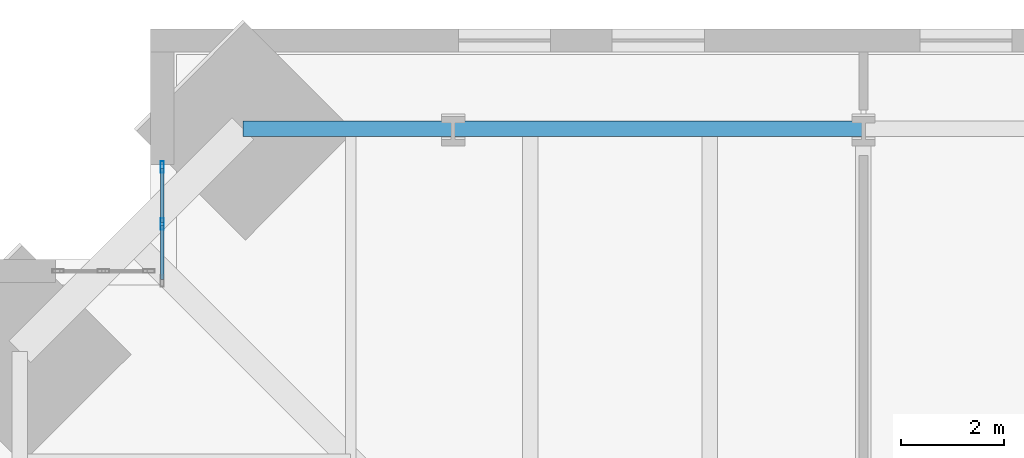
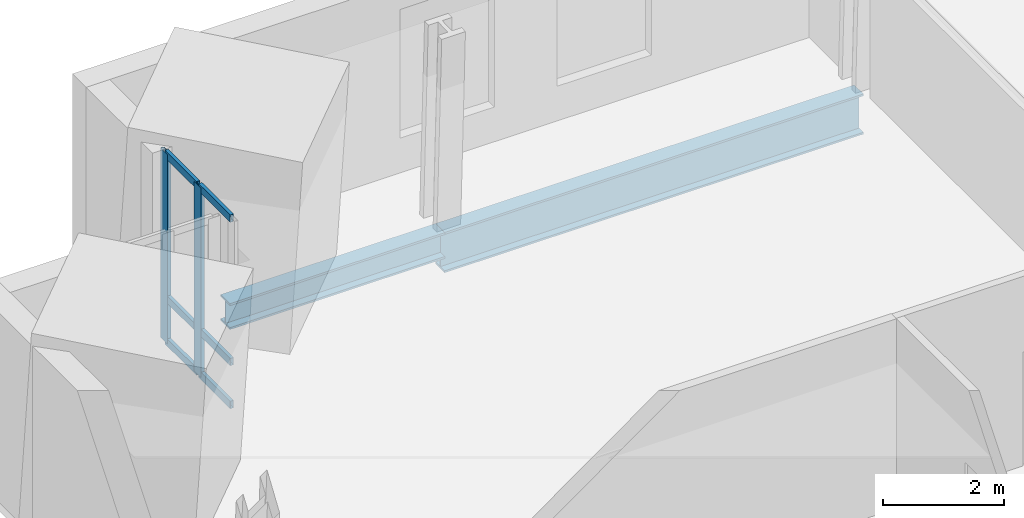
# One storey, part 8 of 18: 8 members, 2 beams, 1 element without a shape of its own.
"""IFC4 building model written with IfcOpenShell, lengths in metres."""

from ifc_helpers import new_model, si_unit, direction, frame, origin, origin_2d, place, context, subcontext, project, spatial, hollow_rectangle, i_section, extrude, material, material_profile, profile_set, type_object, element, aggregate, save


model = new_model("IFC4")

# Units and contexts
model_context = context("Model", 3, precision=1e-05, world=origin(), true_north=direction((0.0, 1.0)))
body_context = subcontext(model_context, "Body", "Model", "MODEL_VIEW")
ifc_project = project(units=[si_unit("LENGTHUNIT", "METRE"), si_unit("AREAUNIT", "SQUARE_METRE"), si_unit("VOLUMEUNIT", "CUBIC_METRE"), si_unit("PLANEANGLEUNIT", "RADIAN"), si_unit("MASSUNIT", "GRAM", prefix="KILO")], contexts=[model_context])

# Site, building, storey
site_placement = place(None, origin())
site = spatial("IfcSite", under=ifc_project, at=site_placement, CompositionType="ELEMENT")
building_placement = place(site_placement, origin())
building = spatial("IfcBuilding", under=site, at=building_placement, Name="Peilmerk Tower", CompositionType="ELEMENT")
storey_placement = place(building_placement, frame((0.0, 0.0, 159.800048828125)))
storey = spatial("IfcBuildingStorey", under=building, at=storey_placement, Name="L33", CompositionType="ELEMENT", Elevation=159.800048828125)

# Beams
ifc_material_1 = material(Name="Steel S355", Category="steel")
ifc_material_profile_1 = material_profile(ifc_material_1, i_section(OverallWidth=0.302978515625, OverallDepth=0.81396484375, WebThickness=0.02099609375, FlangeThickness=0.0400390625, at=origin_2d()), Name="HEM 800")
ifc_profile_set_1 = profile_set([ifc_material_profile_1], Name="Steel S355")
beam_type_1 = type_object("IfcBeamType", Name="B15 HEM 800 edge beam", PredefinedType="SPANDREL", material=ifc_profile_set_1)
beam_1_placement = place(storey_placement, frame((-8.0, 24.453125, -0.5771484375), z_axis=(-1.0, 0.0, 0.0), x_axis=(0.0, -1.0, 0.0)))
element("IfcBeam", 1, at=beam_1_placement, inside=storey, type_object=beam_type_1, Name="Edge beam L33", PredefinedType="SPANDREL", context=body_context, shape_type="SweptSolid", body=[
    extrude(i_section(OverallWidth=0.302978515625, OverallDepth=0.81396484375, WebThickness=0.02099609375, FlangeThickness=0.0400390625, at=origin_2d()), origin(), (0.0, 0.0, 1.0), 8.0),
])
ifc_material_profile_2 = material_profile(ifc_material_1, i_section(OverallWidth=0.305908203125, OverallDepth=0.52392578125, WebThickness=0.02099609375, FlangeThickness=0.0400390625, at=origin_2d()), Name="HEM 500")
ifc_profile_set_2 = profile_set([ifc_material_profile_2], Name="Steel S355")
beam_type_2 = type_object("IfcBeamType", Name="B33 HEM 500 edge beam", PredefinedType="SPANDREL", material=ifc_profile_set_2)
beam_2_placement = place(storey_placement, frame((-16.0, 24.453125, -0.43212890625), z_axis=(-1.0, 0.0, 0.0), x_axis=(0.0, -1.0, 0.0)))
element("IfcBeam", 2, at=beam_2_placement, inside=storey, type_object=beam_type_2, Name="Edge beam L33", PredefinedType="SPANDREL", context=body_context, shape_type="SweptSolid", body=[
    extrude(i_section(OverallWidth=0.305908203125, OverallDepth=0.52392578125, WebThickness=0.02099609375, FlangeThickness=0.0400390625, at=origin_2d()), origin(), (0.0, 0.0, 1.0), 4.103271484375),
])

# Curtain wall, members
ifc_material_2 = material(Name="Aluminium stick curtain wall", Category="aluminium")
curtain_wall_type = type_object("IfcCurtainWallType", Name="CW3 stick curtain wall, 2250 module", PredefinedType="NOTDEFINED", material=ifc_material_2)
curtain_wall_placement = place(storey_placement, origin())
curtain_wall = element("IfcCurtainWall", 3, at=curtain_wall_placement, inside=storey, type_object=curtain_wall_type, Name="Curtain wall CW3 NWA L33", PredefinedType="NOTDEFINED")
ifc_material_3 = material(Name="Aluminium EN AW-6063 T6", Category="aluminium")
ifc_material_profile_3 = material_profile(ifc_material_3, hollow_rectangle(XDim=0.06494140625, YDim=0.22509765625, WallThickness=0.00390625, at=origin_2d()), Name="AL 225x65x4")
ifc_profile_set_3 = profile_set([ifc_material_profile_3], Name="Aluminium EN AW-6063 T6")
member_type_1 = type_object("IfcMemberType", Name="CW3-M AL 225x65x4 mullion", PredefinedType="MULLION", material=ifc_profile_set_3)
member_1_placement = place(storey_placement, frame((-21.675048828125, 22.59423828125, 0.0), z_axis=(0.0, 0.0, 1.0), x_axis=(-1.0, 0.0, 0.0)))
member_1 = element("IfcMember", 4, at=member_1_placement, type_object=member_type_1, Name="CW3 mullion 2", PredefinedType="MULLION", context=body_context, shape_type="SweptSolid", body=[
    extrude(hollow_rectangle(XDim=0.06494140625, YDim=0.22509765625, WallThickness=0.00390625, at=origin_2d()), origin(), (0.0, 0.0, 1.0), 3.829833984375),
])
member_2_placement = place(storey_placement, frame((-21.675048828125, 23.706298828125, 0.0), z_axis=(0.0, 0.0, 1.0), x_axis=(-1.0, 0.0, 0.0)))
member_2 = element("IfcMember", 5, at=member_2_placement, type_object=member_type_1, Name="CW3 mullion 3", PredefinedType="MULLION", context=body_context, shape_type="SweptSolid", body=[
    extrude(hollow_rectangle(XDim=0.06494140625, YDim=0.22509765625, WallThickness=0.00390625, at=origin_2d()), origin(), (0.0, 0.0, 1.0), 3.829833984375),
])
ifc_material_profile_4 = material_profile(ifc_material_3, hollow_rectangle(XDim=0.06494140625, YDim=0.14990234375, WallThickness=0.0029296875, at=origin_2d()), Name="AL 150x65x3")
ifc_profile_set_4 = profile_set([ifc_material_profile_4], Name="Aluminium EN AW-6063 T6")
member_type_2 = type_object("IfcMemberType", Name="CW3-T AL 150x65x3 transom", PredefinedType="USERDEFINED", material=ifc_profile_set_4)
member_3_placement = place(storey_placement, frame((-21.675048828125, 21.514892578125, 0.032470703125), z_axis=(0.0, 1.0, 0.0), x_axis=(-1.0, 0.0, 0.0)))
member_3 = element("IfcMember", 6, at=member_3_placement, type_object=member_type_2, Name="CW3 transom 1.1", ObjectType="TRANSOM", PredefinedType="USERDEFINED", context=body_context, shape_type="SweptSolid", body=[
    extrude(hollow_rectangle(XDim=0.06494140625, YDim=0.14990234375, WallThickness=0.0029296875, at=origin_2d()), origin(), (0.0, 0.0, 1.0), 1.046875),
])
member_4_placement = place(storey_placement, frame((-21.675048828125, 21.514892578125, 0.89990234375), z_axis=(0.0, 1.0, 0.0), x_axis=(-1.0, 0.0, 0.0)))
member_4 = element("IfcMember", 7, at=member_4_placement, type_object=member_type_2, Name="CW3 transom 1.2", ObjectType="TRANSOM", PredefinedType="USERDEFINED", context=body_context, shape_type="SweptSolid", body=[
    extrude(hollow_rectangle(XDim=0.06494140625, YDim=0.14990234375, WallThickness=0.0029296875, at=origin_2d()), origin(), (0.0, 0.0, 1.0), 1.046875),
])
member_5_placement = place(storey_placement, frame((-21.675048828125, 21.514892578125, 3.79736328125), z_axis=(0.0, 1.0, 0.0), x_axis=(-1.0, 0.0, 0.0)))
member_5 = element("IfcMember", 8, at=member_5_placement, type_object=member_type_2, Name="CW3 transom 1.3", ObjectType="TRANSOM", PredefinedType="USERDEFINED", context=body_context, shape_type="SweptSolid", body=[
    extrude(hollow_rectangle(XDim=0.06494140625, YDim=0.14990234375, WallThickness=0.0029296875, at=origin_2d()), origin(), (0.0, 0.0, 1.0), 1.046875),
])
member_6_placement = place(storey_placement, frame((-21.675048828125, 22.626953125, 0.032470703125), z_axis=(0.0, 1.0, 0.0), x_axis=(-1.0, 0.0, 0.0)))
member_6 = element("IfcMember", 9, at=member_6_placement, type_object=member_type_2, Name="CW3 transom 2.1", ObjectType="TRANSOM", PredefinedType="USERDEFINED", context=body_context, shape_type="SweptSolid", body=[
    extrude(hollow_rectangle(XDim=0.06494140625, YDim=0.14990234375, WallThickness=0.0029296875, at=origin_2d()), origin(), (0.0, 0.0, 1.0), 1.046630859375),
])
member_7_placement = place(storey_placement, frame((-21.675048828125, 22.626953125, 0.89990234375), z_axis=(0.0, 1.0, 0.0), x_axis=(-1.0, 0.0, 0.0)))
member_7 = element("IfcMember", 10, at=member_7_placement, type_object=member_type_2, Name="CW3 transom 2.2", ObjectType="TRANSOM", PredefinedType="USERDEFINED", context=body_context, shape_type="SweptSolid", body=[
    extrude(hollow_rectangle(XDim=0.06494140625, YDim=0.14990234375, WallThickness=0.0029296875, at=origin_2d()), origin(), (0.0, 0.0, 1.0), 1.046630859375),
])
member_8_placement = place(storey_placement, frame((-21.675048828125, 22.626953125, 3.79736328125), z_axis=(0.0, 1.0, 0.0), x_axis=(-1.0, 0.0, 0.0)))
member_8 = element("IfcMember", 11, at=member_8_placement, type_object=member_type_2, Name="CW3 transom 2.3", ObjectType="TRANSOM", PredefinedType="USERDEFINED", context=body_context, shape_type="SweptSolid", body=[
    extrude(hollow_rectangle(XDim=0.06494140625, YDim=0.14990234375, WallThickness=0.0029296875, at=origin_2d()), origin(), (0.0, 0.0, 1.0), 1.046630859375),
])
aggregate(curtain_wall, [member_1, member_2, member_3, member_4, member_5, member_6, member_7, member_8])

save(model, "model.ifc")
